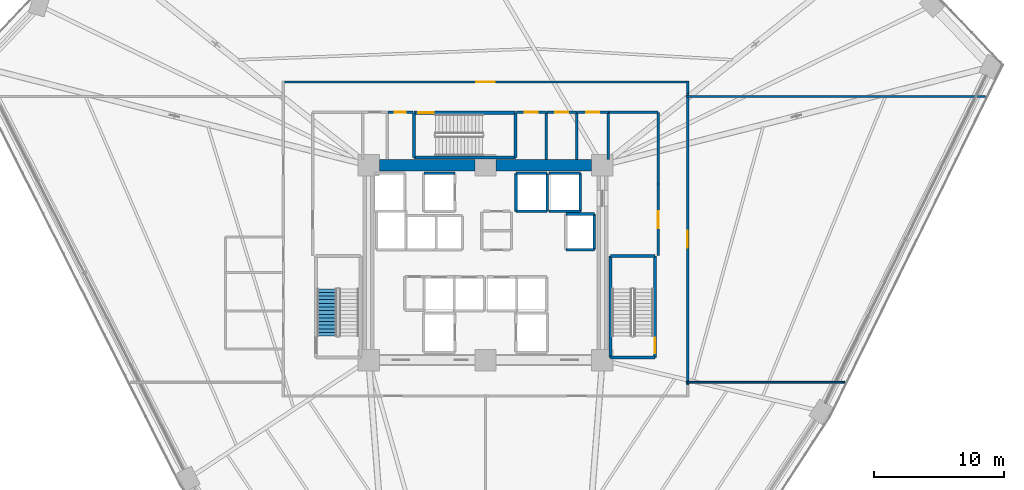
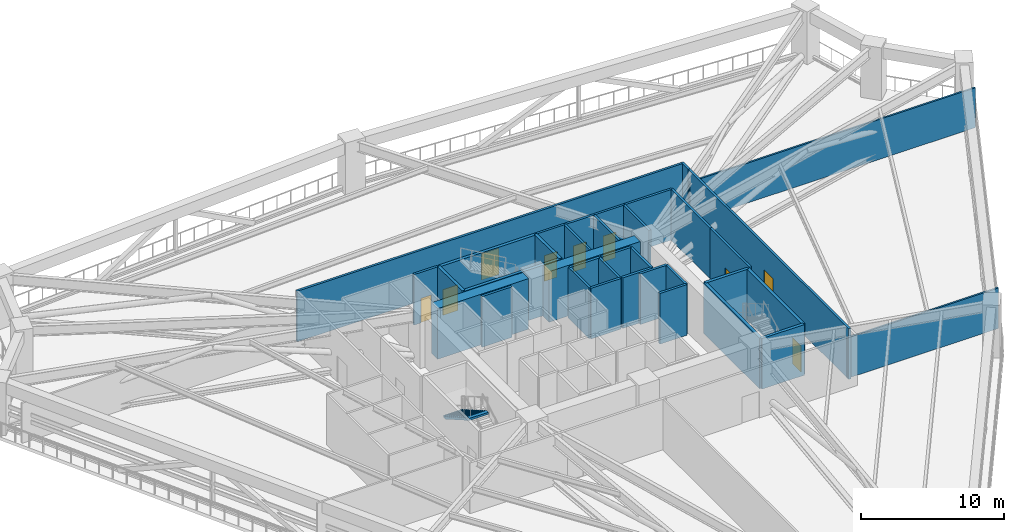
# One storey, part 19 of 25: 36 walls, 9 doors, 1 stair flight, 9 openings, 1 element without a shape of its own.
"""IFC4 building model written with IfcOpenShell, lengths in metres."""

from ifc_helpers import new_model, si_unit, direction, frame, frame_2d, origin, place, context, subcontext, project, spatial, polyline, rectangle, outline, extrude, source, transform, mapped, material, layer, layer_set, type_object, element, fill, aggregate, save


model = new_model("IFC4")

# Units and contexts
model_context = context("Model", 3, precision=1e-05, world=origin(), true_north=direction((0.0, 1.0)))
body_context = subcontext(model_context, "Body", "Model", "MODEL_VIEW")
ifc_project = project(units=[si_unit("LENGTHUNIT", "METRE"), si_unit("AREAUNIT", "SQUARE_METRE"), si_unit("VOLUMEUNIT", "CUBIC_METRE"), si_unit("PLANEANGLEUNIT", "RADIAN"), si_unit("MASSUNIT", "GRAM", prefix="KILO")], contexts=[model_context])

# Site, building, storey
site_placement = place(None, origin())
site = spatial("IfcSite", under=ifc_project, at=site_placement, CompositionType="ELEMENT")
building_placement = place(site_placement, origin())
building = spatial("IfcBuilding", under=site, at=building_placement, Name="Liaohun Quay Tower", CompositionType="ELEMENT")
storey_placement = place(building_placement, frame((0.0, 0.0, 47.25)))
storey = spatial("IfcBuildingStorey", under=building, at=storey_placement, Name="L12", CompositionType="ELEMENT", Elevation=47.25)

# Walls
ifc_material_1 = material(Name="Concrete C60", Category="concrete")
ifc_layer_1 = layer(ifc_material_1, 0.85009765625, Name="Concrete C60", Category="concrete")
ifc_layer_set_1 = layer_set([ifc_layer_1], Name="Concrete C60")
wall_type_1 = type_object("IfcWallType", Name="WAL-COR-Z1", PredefinedType="SHEAR", material=ifc_layer_set_1)
for number, where, z_axis, x_axis, name in (
    (1, (51.824951171875, 61.5, 0.0), (0.0, 0.0, 1.0), (1.0, 0.0, 0.0), "L12 Central Core Shear Wall N-W"),
    (2, (60.824951171875, 61.5, 0.0), (0.0, 0.0, 1.0), (1.0, 0.0, 0.0), "L12 Central Core Shear Wall N-E"),
):
    element("IfcWall", number, at=place(storey_placement, frame(where, z_axis=z_axis, x_axis=x_axis)), inside=storey, type_object=wall_type_1, Name=name, PredefinedType="SHEAR", context=body_context, shape_type="SweptSolid", body=[
        extrude(rectangle(XDim=7.35009765625, YDim=0.85009765625, at=frame_2d((3.675048828125, 0.0))), origin(), (0.0, 0.0, 1.0), 4.320068359375),
    ])

# Wall, opening, door
ifc_material_2 = material(Name="Autoclaved aerated concrete blockwork", Category="masonry")
ifc_layer_2 = layer(ifc_material_2, 0.179931640625, Name="Autoclaved aerated concrete blockwork", Category="masonry")
ifc_layer_set_2 = layer_set([ifc_layer_2], Name="Autoclaved aerated concrete blockwork")
wall_type_2 = type_object("IfcWallType", Name="WAL-PRT-COR", PredefinedType="PARTITIONING", material=ifc_layer_set_2)
wall_1_placement = place(storey_placement, frame((52.47998046875, 65.580078125, 0.0), z_axis=(0.0, 0.0, 1.0), x_axis=(1.0, 0.0, 0.0)))
wall_1 = element("IfcWall", 3, at=wall_1_placement, inside=storey, type_object=wall_type_2, Name="L12 Interior Partition Wall 008", PredefinedType="PARTITIONING", context=body_context, shape_type="SweptSolid", body=[
    extrude(rectangle(XDim=1.929931640625, YDim=0.179931640625, at=frame_2d((0.96484375, 0.0))), origin(), (0.0, 0.0, 1.0), 4.320068359375),
])
shared_shape_1 = source(origin(), body_context, "Body", "SweptSolid", [
    extrude(rectangle(XDim=0.85009765625, YDim=2.10009765625, at=frame_2d((0.425048828125, 1.050048828125))), frame((0.0, 0.099853515625, 0.0), z_axis=(0.0, -1.0, 0.0), x_axis=(1.0, 0.0, 0.0)), (0.0, 0.0, 1.0), 0.199951171875),
])
opening_1_placement = place(wall_1_placement, frame((0.5400390625, 0.0, 0.0)))
opening_1 = element("IfcOpeningElement", 4, at=opening_1_placement, cuts=wall_1, Name="Opening AD1", PredefinedType="OPENING", context=body_context, shape_type="MappedRepresentation", body=[
    mapped(shared_shape_1, transform((0.0, 0.0, 0.0), x_axis=(1.0, 0.0, 0.0), y_axis=(0.0, 1.0, 0.0), z_axis=(0.0, 0.0, 1.0), scale=1.0)),
])
ifc_material_3 = material(Name="Steel riser inspection fire door", Category="steel")
door_type_1 = type_object("IfcDoorType", Name="DOR-SHF-850", OperationType="NOTDEFINED", PredefinedType="DOOR", material=ifc_material_3)
shared_shape_2 = source(origin(), body_context, "Body", "SweptSolid", [
    extrude(rectangle(XDim=0.85009765625, YDim=2.10009765625, at=frame_2d((0.425048828125, 1.050048828125))), frame((0.0, 0.02490234375, 0.0), z_axis=(0.0, -1.0, 0.0), x_axis=(1.0, 0.0, 0.0)), (0.0, 0.0, 1.0), 0.050048828125),
])
door_1_placement = place(opening_1_placement, origin())
door_1 = element("IfcDoor", 5, at=door_1_placement, inside=storey, type_object=door_type_1, Name="L12 North-West Print Closet Door", OperationType="SINGLE_SWING_LEFT", OverallHeight=2.10009765625, OverallWidth=0.85009765625, PredefinedType="DOOR", context=body_context, shape_type="MappedRepresentation", body=[
    mapped(shared_shape_2, transform((0.0, 0.0, 0.0), x_axis=(1.0, 0.0, 0.0), y_axis=(0.0, 1.0, 0.0), z_axis=(0.0, 0.0, 1.0), scale=1.0)),
])
fill(opening_1, door_1)

wall_2_placement = place(storey_placement, frame((62.389892578125, 65.580078125, 0.0), z_axis=(0.0, 0.0, 1.0), x_axis=(1.0, 0.0, 0.0)))
wall_2 = element("IfcWall", 6, at=wall_2_placement, inside=storey, type_object=wall_type_2, Name="L12 Interior Partition Wall 009", PredefinedType="PARTITIONING", context=body_context, shape_type="SweptSolid", body=[
    extrude(rectangle(XDim=2.2900390625, YDim=0.179931640625, at=frame_2d((1.14501953125, 0.0))), origin(), (0.0, 0.0, 1.0), 4.320068359375),
])
shared_shape_3 = source(origin(), body_context, "Body", "SweptSolid", [
    extrude(rectangle(XDim=1.0, YDim=2.199951171875, at=frame_2d((0.5, 1.10009765625))), frame((0.0, 0.099853515625, 0.0), z_axis=(0.0, -1.0, 0.0), x_axis=(1.0, 0.0, 0.0)), (0.0, 0.0, 1.0), 0.199951171875),
])
opening_2_placement = place(wall_2_placement, frame((0.64501953125, 0.0, 0.0)))
opening_2 = element("IfcOpeningElement", 7, at=opening_2_placement, cuts=wall_2, Name="Opening OD1", PredefinedType="OPENING", context=body_context, shape_type="MappedRepresentation", body=[
    mapped(shared_shape_3, transform((0.0, 0.0, 0.0), x_axis=(1.0, 0.0, 0.0), y_axis=(0.0, 1.0, 0.0), z_axis=(0.0, 0.0, 1.0), scale=1.0)),
])
ifc_material_4 = material(Name="Solid-core oak veneer timber leaf in steel frame", Category="steel")
door_type_2 = type_object("IfcDoorType", Name="DOR-OFF-1000", OperationType="NOTDEFINED", PredefinedType="DOOR", material=ifc_material_4)
shared_shape_4 = source(origin(), body_context, "Body", "SweptSolid", [
    extrude(rectangle(XDim=1.0, YDim=2.199951171875, at=frame_2d((0.5, 1.10009765625))), frame((0.0, 0.02490234375, 0.0), z_axis=(0.0, -1.0, 0.0), x_axis=(1.0, 0.0, 0.0)), (0.0, 0.0, 1.0), 0.050048828125),
])
door_2_placement = place(opening_2_placement, origin())
door_2 = element("IfcDoor", 8, at=door_2_placement, inside=storey, type_object=door_type_2, Name="L12 North-East Mail Store Door", OperationType="SINGLE_SWING_RIGHT", OverallHeight=2.199951171875, OverallWidth=1.0, PredefinedType="DOOR", context=body_context, shape_type="MappedRepresentation", body=[
    mapped(shared_shape_4, transform((0.0, 0.0, 0.0), x_axis=(1.0, 0.0, 0.0), y_axis=(0.0, 1.0, 0.0), z_axis=(0.0, 0.0, 1.0), scale=1.0)),
])
fill(opening_2, door_2)

wall_3_placement = place(storey_placement, frame((64.719970703125, 65.580078125, 0.0), z_axis=(0.0, 0.0, 1.0), x_axis=(1.0, 0.0, 0.0)))
wall_3 = element("IfcWall", 9, at=wall_3_placement, inside=storey, type_object=wall_type_2, Name="L12 Interior Partition Wall 010", PredefinedType="PARTITIONING", context=body_context, shape_type="SweptSolid", body=[
    extrude(rectangle(XDim=2.320068359375, YDim=0.179931640625, at=frame_2d((1.16015625, 0.0))), origin(), (0.0, 0.0, 1.0), 4.320068359375),
])
opening_3_placement = place(wall_3_placement, frame((0.659912109375, 0.0, 0.0)))
opening_3 = element("IfcOpeningElement", 10, at=opening_3_placement, cuts=wall_3, Name="Opening OD1", PredefinedType="OPENING", context=body_context, shape_type="MappedRepresentation", body=[
    mapped(shared_shape_3, transform((0.0, 0.0, 0.0), x_axis=(1.0, 0.0, 0.0), y_axis=(0.0, 1.0, 0.0), z_axis=(0.0, 0.0, 1.0), scale=1.0)),
])
door_3_placement = place(opening_3_placement, origin())
door_3 = element("IfcDoor", 11, at=door_3_placement, inside=storey, type_object=door_type_2, Name="L12 North-East Comms Room Door", OperationType="SINGLE_SWING_LEFT", OverallHeight=2.199951171875, OverallWidth=1.0, PredefinedType="DOOR", context=body_context, shape_type="MappedRepresentation", body=[
    mapped(shared_shape_4, transform((0.0, 0.0, 0.0), x_axis=(1.0, 0.0, 0.0), y_axis=(0.0, 1.0, 0.0), z_axis=(0.0, 0.0, 1.0), scale=1.0)),
])
fill(opening_3, door_3)

wall_4_placement = place(storey_placement, frame((67.080078125, 65.580078125, 0.0), z_axis=(0.0, 0.0, 1.0), x_axis=(1.0, 0.0, 0.0)))
wall_4 = element("IfcWall", 12, at=wall_4_placement, inside=storey, type_object=wall_type_2, Name="L12 Interior Partition Wall 011", PredefinedType="PARTITIONING", context=body_context, shape_type="SweptSolid", body=[
    extrude(rectangle(XDim=2.3798828125, YDim=0.179931640625, at=frame_2d((1.18994140625, 0.0))), origin(), (0.0, 0.0, 1.0), 4.320068359375),
])
opening_4_placement = place(wall_4_placement, frame((0.68994140625, 0.0, 0.0)))
opening_4 = element("IfcOpeningElement", 13, at=opening_4_placement, cuts=wall_4, Name="Opening OD1", PredefinedType="OPENING", context=body_context, shape_type="MappedRepresentation", body=[
    mapped(shared_shape_3, transform((0.0, 0.0, 0.0), x_axis=(1.0, 0.0, 0.0), y_axis=(0.0, 1.0, 0.0), z_axis=(0.0, 0.0, 1.0), scale=1.0)),
])
door_4_placement = place(opening_4_placement, origin())
door_4 = element("IfcDoor", 14, at=door_4_placement, inside=storey, type_object=door_type_2, Name="L12 North-East Cleaner Store Door", OperationType="SINGLE_SWING_RIGHT", OverallHeight=2.199951171875, OverallWidth=1.0, PredefinedType="DOOR", context=body_context, shape_type="MappedRepresentation", body=[
    mapped(shared_shape_4, transform((0.0, 0.0, 0.0), x_axis=(1.0, 0.0, 0.0), y_axis=(0.0, 1.0, 0.0), z_axis=(0.0, 0.0, 1.0), scale=1.0)),
])
fill(opening_4, door_4)

wall_5_placement = place(storey_placement, frame((73.300048828125, 54.5400390625, 0.0), z_axis=(0.0, 0.0, 1.0), x_axis=(0.0, 1.0, 0.0)))
wall_5 = element("IfcWall", 15, at=wall_5_placement, inside=storey, type_object=wall_type_2, Name="L12 Interior Partition Wall 013", PredefinedType="PARTITIONING", context=body_context, shape_type="SweptSolid", body=[
    extrude(rectangle(XDim=5.52001953125, YDim=0.179931640625, at=frame_2d((2.760009765625, 0.0))), origin(), (0.0, 0.0, 1.0), 4.320068359375),
])
shared_shape_5 = source(origin(), body_context, "Body", "SweptSolid", [
    extrude(rectangle(XDim=1.300048828125, YDim=2.199951171875, at=frame_2d((0.64990234375, 1.10009765625))), frame((0.0, 0.099853515625, 0.0), z_axis=(0.0, -1.0, 0.0), x_axis=(1.0, 0.0, 0.0)), (0.0, 0.0, 1.0), 0.199951171875),
])
opening_5_placement = place(wall_5_placement, frame((2.110107421875, 0.0, 0.0)))
opening_5 = element("IfcOpeningElement", 16, at=opening_5_placement, cuts=wall_5, Name="Opening FD1", PredefinedType="OPENING", context=body_context, shape_type="MappedRepresentation", body=[
    mapped(shared_shape_5, transform((0.0, 0.0, 0.0), x_axis=(1.0, 0.0, 0.0), y_axis=(0.0, 1.0, 0.0), z_axis=(0.0, 0.0, 1.0), scale=1.0)),
])
ifc_material_5 = material(Name="Galvanised steel smokeproof fire door", Category="steel")
door_type_3 = type_object("IfcDoorType", Name="DOR-FFL-1300", OperationType="NOTDEFINED", PredefinedType="DOOR", material=ifc_material_5)
shared_shape_6 = source(origin(), body_context, "Body", "SweptSolid", [
    extrude(rectangle(XDim=1.300048828125, YDim=2.199951171875, at=frame_2d((0.64990234375, 1.10009765625))), frame((0.0, 0.02490234375, 0.0), z_axis=(0.0, -1.0, 0.0), x_axis=(1.0, 0.0, 0.0)), (0.0, 0.0, 1.0), 0.050048828125),
])
door_5_placement = place(opening_5_placement, origin())
door_5 = element("IfcDoor", 17, at=door_5_placement, inside=storey, type_object=door_type_3, Name="L12 East Core Vestibule Door", OperationType="SINGLE_SWING_RIGHT", OverallHeight=2.199951171875, OverallWidth=1.300048828125, PredefinedType="DOOR", context=body_context, shape_type="MappedRepresentation", body=[
    mapped(shared_shape_6, transform((0.0, 0.0, 0.0), x_axis=(1.0, 0.0, 0.0), y_axis=(0.0, 1.0, 0.0), z_axis=(0.0, 0.0, 1.0), scale=1.0)),
])
fill(opening_5, door_5)

wall_6_placement = place(storey_placement, frame((75.56005859375, 67.014892578125, 0.0), z_axis=(0.0, 0.0, 1.0), x_axis=(0.0, -1.0, 0.0)))
wall_6 = element("IfcWall", 18, at=wall_6_placement, inside=storey, type_object=wall_type_2, Name="L12 Interior Partition Wall 014", PredefinedType="PARTITIONING", context=body_context, shape_type="SweptSolid", body=[
    extrude(rectangle(XDim=22.429931640625, YDim=0.179931640625, at=frame_2d((11.21484375, 0.0))), origin(), (0.0, 0.0, 1.0), 4.320068359375),
])
opening_6_placement = place(wall_6_placement, frame((10.56494140625, 0.0, 0.0)))
opening_6 = element("IfcOpeningElement", 19, at=opening_6_placement, cuts=wall_6, Name="Opening FD1", PredefinedType="OPENING", context=body_context, shape_type="MappedRepresentation", body=[
    mapped(shared_shape_5, transform((0.0, 0.0, 0.0), x_axis=(1.0, 0.0, 0.0), y_axis=(0.0, 1.0, 0.0), z_axis=(0.0, 0.0, 1.0), scale=1.0)),
])
door_6_placement = place(opening_6_placement, origin())
door_6 = element("IfcDoor", 20, at=door_6_placement, inside=storey, type_object=door_type_3, Name="L12 South Pressurised Fire Refuge Area Door", OperationType="SINGLE_SWING_LEFT", OverallHeight=2.199951171875, OverallWidth=1.300048828125, PredefinedType="DOOR", context=body_context, shape_type="MappedRepresentation", body=[
    mapped(shared_shape_6, transform((0.0, 0.0, 0.0), x_axis=(1.0, 0.0, 0.0), y_axis=(0.0, 1.0, 0.0), z_axis=(0.0, 0.0, 1.0), scale=1.0)),
])
fill(opening_6, door_6)

wall_7_placement = place(storey_placement, frame((44.3701171875, 67.909912109375, 0.0), z_axis=(0.0, 0.0, 1.0), x_axis=(1.0, 0.0, 0.0)))
wall_7 = element("IfcWall", 21, at=wall_7_placement, inside=storey, type_object=wall_type_2, Name="L12 Interior Partition Wall 015", PredefinedType="PARTITIONING", context=body_context, shape_type="SweptSolid", body=[
    extrude(rectangle(XDim=31.259765625, YDim=0.179931640625, at=frame_2d((15.6298828125, 0.0))), origin(), (0.0, 0.0, 1.0), 4.320068359375),
])
shared_shape_7 = source(origin(), body_context, "Body", "SweptSolid", [
    extrude(rectangle(XDim=1.39990234375, YDim=2.25, at=frame_2d((0.699951171875, 1.125))), frame((0.0, 0.099853515625, 0.0), z_axis=(0.0, -1.0, 0.0), x_axis=(1.0, 0.0, 0.0)), (0.0, 0.0, 1.0), 0.199951171875),
])
opening_7_placement = place(wall_7_placement, frame((14.929931640625, 0.0, 0.0)))
opening_7 = element("IfcOpeningElement", 22, at=opening_7_placement, cuts=wall_7, Name="Opening MD1", PredefinedType="OPENING", context=body_context, shape_type="MappedRepresentation", body=[
    mapped(shared_shape_7, transform((0.0, 0.0, 0.0), x_axis=(1.0, 0.0, 0.0), y_axis=(0.0, 1.0, 0.0), z_axis=(0.0, 0.0, 1.0), scale=1.0)),
])
ifc_material_6 = material(Name="Insulated steel plant room door", Category="steel")
door_type_4 = type_object("IfcDoorType", Name="DOR-MEP-1400", OperationType="DOUBLE_DOOR_SINGLE_SWING", PredefinedType="DOOR", material=ifc_material_6)
shared_shape_8 = source(origin(), body_context, "Body", "SweptSolid", [
    extrude(rectangle(XDim=1.39990234375, YDim=2.25, at=frame_2d((0.699951171875, 1.125))), frame((0.0, 0.02490234375, 0.0), z_axis=(0.0, -1.0, 0.0), x_axis=(1.0, 0.0, 0.0)), (0.0, 0.0, 1.0), 0.050048828125),
])
door_7_placement = place(opening_7_placement, origin())
door_7 = element("IfcDoor", 23, at=door_7_placement, inside=storey, type_object=door_type_4, Name="L12 Southwest Zone Electrical Switch Plant Room Door", OperationType="DOUBLE_DOOR_SINGLE_SWING", OverallHeight=2.25, OverallWidth=1.39990234375, PredefinedType="DOOR", context=body_context, shape_type="MappedRepresentation", body=[
    mapped(shared_shape_8, transform((0.0, 0.0, 0.0), x_axis=(1.0, 0.0, 0.0), y_axis=(0.0, 1.0, 0.0), z_axis=(0.0, 0.0, 1.0), scale=1.0)),
])
fill(opening_7, door_7)

# Walls
for number, where, z_axis, x_axis, name in (
    (24, (64.679931640625, 61.949951171875, 0.0), (0.0, 0.0, 1.0), (0.0, 1.0, 0.0), "L12 Interior Partition Wall 031"),
    (25, (67.0400390625, 61.949951171875, 0.0), (0.0, 0.0, 1.0), (0.0, 1.0, 0.0), "L12 Interior Partition Wall 032"),
    (26, (69.4599609375, 61.949951171875, 0.0), (0.0, 0.0, 1.0), (0.0, 1.0, 0.0), "L12 Interior Partition Wall 033"),
):
    element("IfcWall", number, at=place(storey_placement, frame(where, z_axis=z_axis, x_axis=x_axis)), inside=storey, type_object=wall_type_2, Name=name, PredefinedType="PARTITIONING", context=body_context, shape_type="SweptSolid", body=[
        extrude(rectangle(XDim=3.630126953125, YDim=0.179931640625, at=frame_2d((1.81494140625, 0.0))), origin(), (0.0, 0.0, 1.0), 4.320068359375),
    ])
wall_8_placement = place(storey_placement, frame((69.4599609375, 65.580078125, 0.0), z_axis=(0.0, 0.0, 1.0), x_axis=(1.0, 0.0, 0.0)))
element("IfcWall", 27, at=wall_8_placement, inside=storey, type_object=wall_type_2, Name="L12 Interior Partition Wall 035", PredefinedType="PARTITIONING", context=body_context, shape_type="SweptSolid", body=[
    extrude(rectangle(XDim=3.840087890625, YDim=0.179931640625, at=frame_2d((1.919921875, 0.0))), origin(), (0.0, 0.0, 1.0), 4.320068359375),
])
wall_9_placement = place(storey_placement, frame((73.300048828125, 60.06005859375, 0.0), z_axis=(0.0, 0.0, 1.0), x_axis=(0.0, 1.0, 0.0)))
element("IfcWall", 28, at=wall_9_placement, inside=storey, type_object=wall_type_2, Name="L12 Interior Partition Wall 037", PredefinedType="PARTITIONING", context=body_context, shape_type="SweptSolid", body=[
    extrude(rectangle(XDim=5.52001953125, YDim=0.179931640625, at=frame_2d((2.760009765625, 0.0))), origin(), (0.0, 0.0, 1.0), 4.320068359375),
])
wall_10_placement = place(storey_placement, frame((75.56005859375, 67.97998046875, 0.0), z_axis=(0.0, 0.0, 1.0), x_axis=(0.0, -1.0, 0.0)))
element("IfcWall", 29, at=wall_10_placement, inside=storey, type_object=wall_type_2, Name="L12 Interior Partition Wall 039", PredefinedType="PARTITIONING", context=body_context, shape_type="SweptSolid", body=[
    extrude(rectangle(XDim=0.965087890625, YDim=0.179931640625, at=frame_2d((0.482421875, 0.0))), origin(), (0.0, 0.0, 1.0), 4.320068359375),
])
ifc_material_7 = material(Name="Gypsum board on twin steel studs", Category="steel")
ifc_layer_3 = layer(ifc_material_7, 0.139892578125, Name="Gypsum board on twin steel studs", Category="steel")
ifc_layer_set_3 = layer_set([ifc_layer_3], Name="Gypsum board on twin steel studs")
wall_type_3 = type_object("IfcWallType", Name="WAL-PRT-OFF", PredefinedType="PARTITIONING", material=ifc_layer_set_3)
wall_11_placement = place(storey_placement, frame((75.4599609375, 44.800048828125, 0.0), z_axis=(0.0, 0.0, 1.0), x_axis=(1.0, 0.0, 0.0)))
element("IfcWall", 30, at=wall_11_placement, inside=storey, type_object=wall_type_3, Name="L12 Interior Partition Wall 044", PredefinedType="PARTITIONING", context=body_context, shape_type="SweptSolid", body=[
    extrude(rectangle(XDim=12.196044921875, YDim=0.139892578125, at=frame_2d((6.09814453125, 0.0))), origin(), (0.0, 0.0, 1.0), 3.455078125),
])
wall_12_placement = place(storey_placement, frame((75.4599609375, 66.800048828125, 0.0), z_axis=(0.0, 0.0, 1.0), x_axis=(1.0, 0.0, 0.0)))
element("IfcWall", 31, at=wall_12_placement, inside=storey, type_object=wall_type_3, Name="L12 Interior Partition Wall 046", PredefinedType="PARTITIONING", context=body_context, shape_type="SweptSolid", body=[
    extrude(rectangle(XDim=23.01806640625, YDim=0.139892578125, at=frame_2d((11.509033203125, 0.0))), origin(), (0.0, 0.0, 1.0), 3.405029296875),
])
ifc_material_8 = material(Name="Concrete C50", Category="concrete")
ifc_layer_4 = layer(ifc_material_8, 0.239990234375, Name="Concrete C50", Category="concrete")
ifc_layer_set_4 = layer_set([ifc_layer_4], Name="Concrete C50")
wall_type_4 = type_object("IfcWallType", Name="WAL-SHF-200", PredefinedType="SOLIDWALL", material=ifc_layer_set_4)
wall_13_placement = place(storey_placement, frame((69.6201171875, 46.699951171875, 0.0), z_axis=(0.0, 0.0, 1.0), x_axis=(1.0, 0.0, 0.0)))
element("IfcWall", 32, at=wall_13_placement, inside=storey, type_object=wall_type_4, Name="L12 Stairwell ST-2 Structural Core Wall S", PredefinedType="SOLIDWALL", context=body_context, shape_type="SweptSolid", body=[
    extrude(rectangle(XDim=3.43994140625, YDim=0.239990234375, at=frame_2d((1.719970703125, 0.0))), origin(), (0.0, 0.0, 1.0), 4.320068359375),
])

# Wall, opening, door
wall_14_placement = place(storey_placement, frame((73.06005859375, 46.699951171875, 0.0), z_axis=(0.0, 0.0, 1.0), x_axis=(0.0, 1.0, 0.0)))
wall_14 = element("IfcWall", 33, at=wall_14_placement, inside=storey, type_object=wall_type_4, Name="L12 Stairwell ST-2 Structural Core Wall E", PredefinedType="SOLIDWALL", context=body_context, shape_type="SweptSolid", body=[
    extrude(rectangle(XDim=7.820068359375, YDim=0.239990234375, at=frame_2d((3.91015625, 0.0))), origin(), (0.0, 0.0, 1.0), 4.320068359375),
])
shared_shape_9 = source(origin(), body_context, "Body", "SweptSolid", [
    extrude(rectangle(XDim=1.199951171875, YDim=2.199951171875, at=frame_2d((0.60009765625, 1.10009765625))), frame((0.0, 0.1298828125, 0.0), z_axis=(0.0, -1.0, 0.0), x_axis=(1.0, 0.0, 0.0)), (0.0, 0.0, 1.0), 0.260009765625),
])
opening_8_placement = place(wall_14_placement, frame((0.320068359375, 0.0, 0.0)))
opening_8 = element("IfcOpeningElement", 34, at=opening_8_placement, cuts=wall_14, Name="Opening SD1", PredefinedType="OPENING", context=body_context, shape_type="MappedRepresentation", body=[
    mapped(shared_shape_9, transform((0.0, 0.0, 0.0), x_axis=(1.0, 0.0, 0.0), y_axis=(0.0, 1.0, 0.0), z_axis=(0.0, 0.0, 1.0), scale=1.0)),
])
ifc_material_9 = material(Name="Galvanised steel fire door", Category="steel")
door_type_5 = type_object("IfcDoorType", Name="DOR-STR-1200", OperationType="NOTDEFINED", PredefinedType="DOOR", material=ifc_material_9)
shared_shape_10 = source(origin(), body_context, "Body", "SweptSolid", [
    extrude(rectangle(XDim=1.199951171875, YDim=2.199951171875, at=frame_2d((0.60009765625, 1.10009765625))), frame((0.0, 0.02490234375, 0.0), z_axis=(0.0, -1.0, 0.0), x_axis=(1.0, 0.0, 0.0)), (0.0, 0.0, 1.0), 0.050048828125),
])
door_8_placement = place(opening_8_placement, origin())
door_8 = element("IfcDoor", 35, at=door_8_placement, inside=storey, type_object=door_type_5, Name="L12 Protected Stair ST-2 Fire Door", OperationType="SINGLE_SWING_RIGHT", OverallHeight=2.199951171875, OverallWidth=1.199951171875, PredefinedType="DOOR", context=body_context, shape_type="MappedRepresentation", body=[
    mapped(shared_shape_10, transform((0.0, 0.0, 0.0), x_axis=(1.0, 0.0, 0.0), y_axis=(0.0, 1.0, 0.0), z_axis=(0.0, 0.0, 1.0), scale=1.0)),
])
fill(opening_8, door_8)

# Walls
wall_15_placement = place(storey_placement, frame((73.06005859375, 54.52001953125, 0.0), z_axis=(0.0, 0.0, 1.0), x_axis=(-1.0, 0.0, 0.0)))
element("IfcWall", 36, at=wall_15_placement, inside=storey, type_object=wall_type_4, Name="L12 Stairwell ST-2 Structural Core Wall N", PredefinedType="SOLIDWALL", context=body_context, shape_type="SweptSolid", body=[
    extrude(rectangle(XDim=3.43994140625, YDim=0.239990234375, at=frame_2d((1.719970703125, 0.0))), origin(), (0.0, 0.0, 1.0), 4.320068359375),
])
for number, where, z_axis, x_axis, name in (
    (37, (69.6201171875, 54.52001953125, 0.0), (0.0, 0.0, 1.0), (0.0, -1.0, 0.0), "L12 Stairwell ST-2 Structural Core Wall W"),
    (38, (54.5, 62.10009765625, 0.0), (0.0, 0.0, 1.0), (1.0, 0.0, 0.0), "L12 Stairwell ST-3 Structural Core Wall S"),
):
    element("IfcWall", number, at=place(storey_placement, frame(where, z_axis=z_axis, x_axis=x_axis)), inside=storey, type_object=wall_type_4, Name=name, PredefinedType="SOLIDWALL", context=body_context, shape_type="SweptSolid", body=[
        extrude(rectangle(XDim=7.820068359375, YDim=0.239990234375, at=frame_2d((3.91015625, 0.0))), origin(), (0.0, 0.0, 1.0), 4.320068359375),
    ])
wall_16_placement = place(storey_placement, frame((62.320068359375, 62.10009765625, 0.0), z_axis=(0.0, 0.0, 1.0), x_axis=(0.0, 1.0, 0.0)))
element("IfcWall", 39, at=wall_16_placement, inside=storey, type_object=wall_type_4, Name="L12 Stairwell ST-3 Structural Core Wall E", PredefinedType="SOLIDWALL", context=body_context, shape_type="SweptSolid", body=[
    extrude(rectangle(XDim=3.43994140625, YDim=0.239990234375, at=frame_2d((1.719970703125, 0.0))), origin(), (0.0, 0.0, 1.0), 4.320068359375),
])

# Wall, opening, door
wall_17_placement = place(storey_placement, frame((62.320068359375, 65.5400390625, 0.0), z_axis=(0.0, 0.0, 1.0), x_axis=(-1.0, 0.0, 0.0)))
wall_17 = element("IfcWall", 40, at=wall_17_placement, inside=storey, type_object=wall_type_4, Name="L12 Stairwell ST-3 Structural Core Wall N", PredefinedType="SOLIDWALL", context=body_context, shape_type="SweptSolid", body=[
    extrude(rectangle(XDim=7.820068359375, YDim=0.239990234375, at=frame_2d((3.91015625, 0.0))), origin(), (0.0, 0.0, 1.0), 4.320068359375),
])
opening_9_placement = place(wall_17_placement, frame((6.300048828125, 0.0, 0.0)))
opening_9 = element("IfcOpeningElement", 41, at=opening_9_placement, cuts=wall_17, Name="Opening SD1", PredefinedType="OPENING", context=body_context, shape_type="MappedRepresentation", body=[
    mapped(shared_shape_9, transform((0.0, 0.0, 0.0), x_axis=(1.0, 0.0, 0.0), y_axis=(0.0, 1.0, 0.0), z_axis=(0.0, 0.0, 1.0), scale=1.0)),
])
door_9_placement = place(opening_9_placement, origin())
door_9 = element("IfcDoor", 42, at=door_9_placement, inside=storey, type_object=door_type_5, Name="L12 Protected Stair ST-3 Fire Door", OperationType="SINGLE_SWING_RIGHT", OverallHeight=2.199951171875, OverallWidth=1.199951171875, PredefinedType="DOOR", context=body_context, shape_type="MappedRepresentation", body=[
    mapped(shared_shape_10, transform((0.0, 0.0, 0.0), x_axis=(1.0, 0.0, 0.0), y_axis=(0.0, 1.0, 0.0), z_axis=(0.0, 0.0, 1.0), scale=1.0)),
])
fill(opening_9, door_9)

# Walls
wall_18_placement = place(storey_placement, frame((54.5, 65.5400390625, 0.0), z_axis=(0.0, 0.0, 1.0), x_axis=(0.0, -1.0, 0.0)))
element("IfcWall", 43, at=wall_18_placement, inside=storey, type_object=wall_type_4, Name="L12 Stairwell ST-3 Structural Core Wall W", PredefinedType="SOLIDWALL", context=body_context, shape_type="SweptSolid", body=[
    extrude(rectangle(XDim=3.43994140625, YDim=0.239990234375, at=frame_2d((1.719970703125, 0.0))), origin(), (0.0, 0.0, 1.0), 4.320068359375),
])
for number, where, z_axis, x_axis, name in (
    (44, (57.64990234375, 60.8798828125, 0.0), (0.0, 0.0, 1.0), (-1.0, 0.0, 0.0), "L12 Lift FF-03 Hoistway Wall N"),
    (45, (62.35009765625, 57.949951171875, 0.0), (0.0, 0.0, 1.0), (1.0, 0.0, 0.0), "L12 Lift OB-01 Hoistway Wall S"),
):
    element("IfcWall", number, at=place(storey_placement, frame(where, z_axis=z_axis, x_axis=x_axis)), inside=storey, type_object=wall_type_4, Name=name, PredefinedType="SOLIDWALL", context=body_context, shape_type="SweptSolid", body=[
        extrude(rectangle(XDim=2.39990234375, YDim=0.199951171875, at=frame_2d((1.199951171875, 0.0))), origin(), (0.0, 0.0, 1.0), 4.320068359375),
    ])
wall_19_placement = place(storey_placement, frame((64.75, 57.949951171875, 0.0), z_axis=(0.0, 0.0, 1.0), x_axis=(0.0, 1.0, 0.0)))
element("IfcWall", 46, at=wall_19_placement, inside=storey, type_object=wall_type_4, Name="L12 Lift OB-01 Hoistway Wall E", PredefinedType="SOLIDWALL", context=body_context, shape_type="SweptSolid", body=[
    extrude(rectangle(XDim=2.929931640625, YDim=0.199951171875, at=frame_2d((1.46484375, 0.0))), origin(), (0.0, 0.0, 1.0), 4.320068359375),
])
wall_20_placement = place(storey_placement, frame((64.75, 60.8798828125, 0.0), z_axis=(0.0, 0.0, 1.0), x_axis=(-1.0, 0.0, 0.0)))
element("IfcWall", 47, at=wall_20_placement, inside=storey, type_object=wall_type_4, Name="L12 Lift OB-01 Hoistway Wall N", PredefinedType="SOLIDWALL", context=body_context, shape_type="SweptSolid", body=[
    extrude(rectangle(XDim=2.39990234375, YDim=0.199951171875, at=frame_2d((1.199951171875, 0.0))), origin(), (0.0, 0.0, 1.0), 4.320068359375),
])
wall_21_placement = place(storey_placement, frame((62.35009765625, 60.8798828125, 0.0), z_axis=(0.0, 0.0, 1.0), x_axis=(0.0, -1.0, 0.0)))
element("IfcWall", 48, at=wall_21_placement, inside=storey, type_object=wall_type_4, Name="L12 Lift OB-01 Hoistway Wall W", PredefinedType="SOLIDWALL", context=body_context, shape_type="SweptSolid", body=[
    extrude(rectangle(XDim=2.929931640625, YDim=0.199951171875, at=frame_2d((1.46484375, 0.0))), origin(), (0.0, 0.0, 1.0), 4.320068359375),
])
wall_22_placement = place(storey_placement, frame((64.89990234375, 57.949951171875, 0.0), z_axis=(0.0, 0.0, 1.0), x_axis=(1.0, 0.0, 0.0)))
element("IfcWall", 49, at=wall_22_placement, inside=storey, type_object=wall_type_4, Name="L12 Lift OB-02 Hoistway Wall S", PredefinedType="SOLIDWALL", context=body_context, shape_type="SweptSolid", body=[
    extrude(rectangle(XDim=2.400146484375, YDim=0.199951171875, at=frame_2d((1.2001953125, 0.0))), origin(), (0.0, 0.0, 1.0), 4.320068359375),
])
wall_23_placement = place(storey_placement, frame((67.300048828125, 57.949951171875, 0.0), z_axis=(0.0, 0.0, 1.0), x_axis=(0.0, 1.0, 0.0)))
element("IfcWall", 50, at=wall_23_placement, inside=storey, type_object=wall_type_4, Name="L12 Lift OB-02 Hoistway Wall E", PredefinedType="SOLIDWALL", context=body_context, shape_type="SweptSolid", body=[
    extrude(rectangle(XDim=2.929931640625, YDim=0.199951171875, at=frame_2d((1.46484375, 0.0))), origin(), (0.0, 0.0, 1.0), 4.320068359375),
])
wall_24_placement = place(storey_placement, frame((67.300048828125, 60.8798828125, 0.0), z_axis=(0.0, 0.0, 1.0), x_axis=(-1.0, 0.0, 0.0)))
element("IfcWall", 51, at=wall_24_placement, inside=storey, type_object=wall_type_4, Name="L12 Lift OB-02 Hoistway Wall N", PredefinedType="SOLIDWALL", context=body_context, shape_type="SweptSolid", body=[
    extrude(rectangle(XDim=2.400146484375, YDim=0.199951171875, at=frame_2d((1.2001953125, 0.0))), origin(), (0.0, 0.0, 1.0), 4.320068359375),
])
wall_25_placement = place(storey_placement, frame((66.199951171875, 55.0, 0.0), z_axis=(0.0, 0.0, 1.0), x_axis=(1.0, 0.0, 0.0)))
element("IfcWall", 52, at=wall_25_placement, inside=storey, type_object=wall_type_4, Name="L12 Lift SH-03 Hoistway Wall S", PredefinedType="SOLIDWALL", context=body_context, shape_type="SweptSolid", body=[
    extrude(rectangle(XDim=2.179931640625, YDim=0.199951171875, at=frame_2d((1.08984375, 0.0))), origin(), (0.0, 0.0, 1.0), 4.320068359375),
])
wall_26_placement = place(storey_placement, frame((68.3798828125, 55.0, 0.0), z_axis=(0.0, 0.0, 1.0), x_axis=(0.0, 1.0, 0.0)))
element("IfcWall", 53, at=wall_26_placement, inside=storey, type_object=wall_type_4, Name="L12 Lift SH-03 Hoistway Wall E", PredefinedType="SOLIDWALL", context=body_context, shape_type="SweptSolid", body=[
    extrude(rectangle(XDim=2.75, YDim=0.199951171875, at=frame_2d((1.375, 0.0))), origin(), (0.0, 0.0, 1.0), 4.320068359375),
])
wall_27_placement = place(storey_placement, frame((68.3798828125, 57.75, 0.0), z_axis=(0.0, 0.0, 1.0), x_axis=(-1.0, 0.0, 0.0)))
element("IfcWall", 54, at=wall_27_placement, inside=storey, type_object=wall_type_4, Name="L12 Lift SH-03 Hoistway Wall N", PredefinedType="SOLIDWALL", context=body_context, shape_type="SweptSolid", body=[
    extrude(rectangle(XDim=2.179931640625, YDim=0.199951171875, at=frame_2d((1.08984375, 0.0))), origin(), (0.0, 0.0, 1.0), 4.320068359375),
])

# Stair, stair flight
ifc_material_10 = material(Name="Concrete C45", Category="concrete")
stair_type = type_object("IfcStairType", Name="STR-CORE-TALL", PredefinedType="HALF_TURN_STAIR", material=ifc_material_10)
stair_placement = place(storey_placement, origin())
stair = element("IfcStair", 55, at=stair_placement, inside=storey, type_object=stair_type, Name="L12 Smokeproof Core Exit Stair ST-1", PredefinedType="HALF_TURN_STAIR")
stair_flight_type = type_object("IfcStairFlightType", Name="FLT-CORE-155", PredefinedType="STRAIGHT", material=ifc_material_10)
stair_flight_placement = place(storey_placement, frame((47.81494140625, 51.989990234375, 2.25), z_axis=(0.0, 0.0, 1.0), x_axis=(0.0, -1.0, 0.0)))
stair_flight = element("IfcStairFlight", 56, at=stair_flight_placement, type_object=stair_flight_type, Name="ST-1 flight 2", NumberOfRisers=14, NumberOfTreads=13, PredefinedType="STRAIGHT", RiserHeight=0.160714286, TreadLength=0.28, context=body_context, shape_type="SweptSolid", body=[
    extrude(outline(polyline([(0.0, 0.0), (0.0, 0.16064453125), (0.280029296875, 0.16064453125), (0.280029296875, 0.321533203125), (0.56005859375, 0.321533203125), (0.56005859375, 0.482177734375), (0.840087890625, 0.482177734375), (0.840087890625, 0.642822265625), (1.1201171875, 0.642822265625), (1.1201171875, 0.803466796875), (1.39990234375, 0.803466796875), (1.39990234375, 0.96435546875), (1.679931640625, 0.96435546875), (1.679931640625, 1.125), (1.9599609375, 1.125), (1.9599609375, 1.28564453125), (2.239990234375, 1.28564453125), (2.239990234375, 1.446533203125), (2.52001953125, 1.446533203125), (2.52001953125, 1.607177734375), (2.800048828125, 1.607177734375), (2.800048828125, 1.767822265625), (3.080078125, 1.767822265625), (3.080078125, 1.928466796875), (3.360107421875, 1.928466796875), (3.360107421875, 2.08935546875), (3.639892578125, 2.08935546875), (3.639892578125, 2.25), (3.639892578125, 1.91650390625), (0.301025390625, 0.0), (0.0, 0.0)])), frame((0.0, 0.77490234375, 0.0), z_axis=(0.0, -1.0, 0.0), x_axis=(1.0, 0.0, 0.0)), (0.0, 0.0, 1.0), 1.550048828125),
])
aggregate(stair, [stair_flight])

save(model, "model.ifc")
